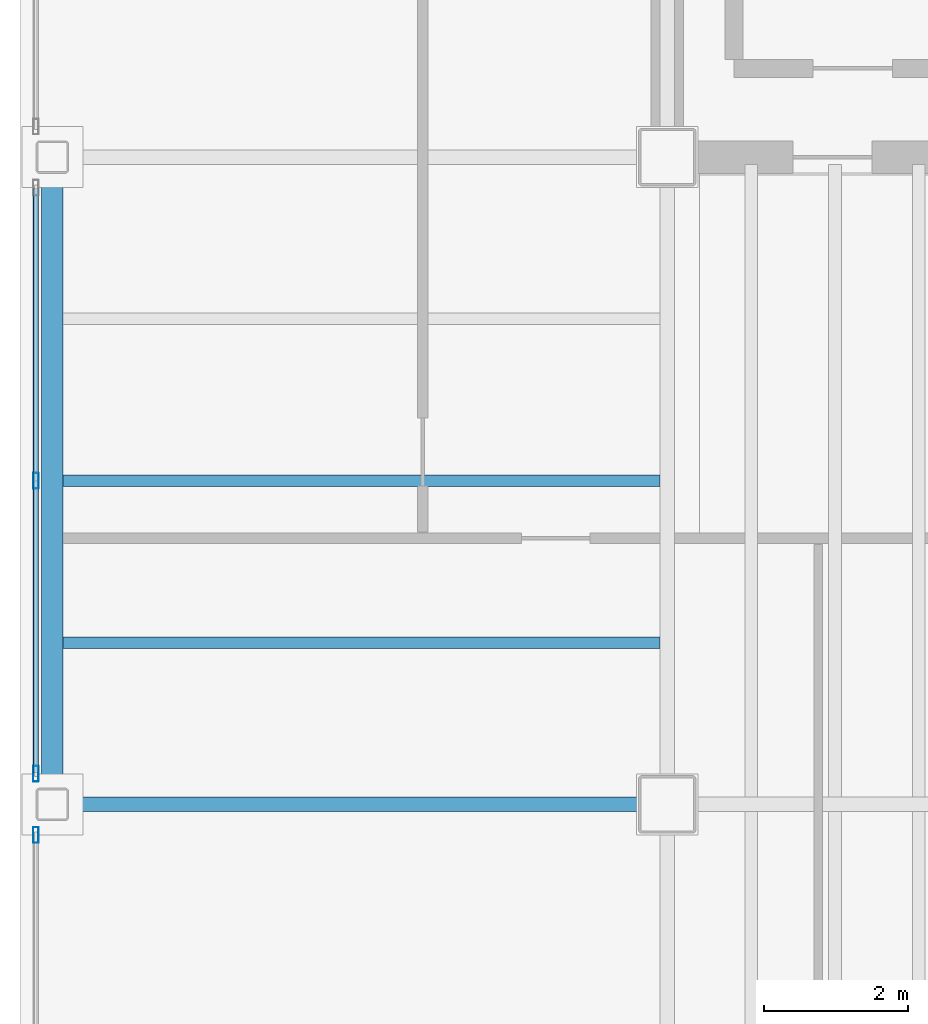
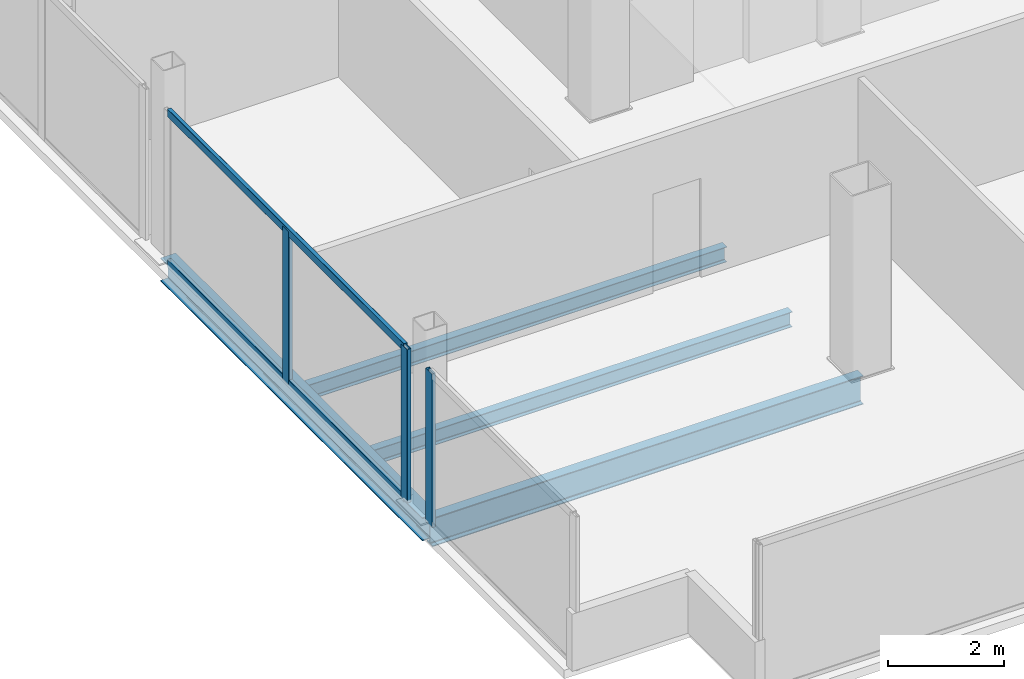
# One storey, part 4 of 16: 5 members, 4 beams, 2 elements without a shape of their own.
"""IFC4 building model written with IfcOpenShell, lengths in metres."""

from ifc_helpers import new_model, si_unit, direction, frame, origin, origin_2d, place, context, subcontext, project, spatial, hollow_rectangle, i_section, extrude, material, material_profile, profile_set, type_object, element, aggregate, save


model = new_model("IFC4")

# Units and contexts
model_context = context("Model", 3, precision=1e-05, world=origin(), true_north=direction((0.0, 1.0)))
body_context = subcontext(model_context, "Body", "Model", "MODEL_VIEW")
ifc_project = project(units=[si_unit("LENGTHUNIT", "METRE"), si_unit("AREAUNIT", "SQUARE_METRE"), si_unit("VOLUMEUNIT", "CUBIC_METRE"), si_unit("PLANEANGLEUNIT", "RADIAN"), si_unit("MASSUNIT", "GRAM", prefix="KILO")], contexts=[model_context])

# Site, building, storey
site_placement = place(None, origin())
site = spatial("IfcSite", under=ifc_project, at=site_placement, CompositionType="ELEMENT")
building_placement = place(site_placement, origin())
building = spatial("IfcBuilding", under=site, at=building_placement, Name="Noeulbin Bourse Tower", CompositionType="ELEMENT")
storey_placement = place(building_placement, frame((0.0, 0.0, 234.5)))
storey = spatial("IfcBuildingStorey", under=building, at=storey_placement, Name="L58", CompositionType="ELEMENT", Elevation=234.5)

# Beams
ifc_material_1 = material(Name="Steel S355", Category="steel")
ifc_material_profile_1 = material_profile(ifc_material_1, i_section(OverallWidth=0.199951171875, OverallDepth=0.60009765625, WebThickness=0.010986328125, FlangeThickness=0.01708984375, FilletRadius=0.02197265625, at=origin_2d()), Name="H-600x200x11x17", Category="LoadBearing")
ifc_profile_set_1 = profile_set([ifc_material_profile_1], Name="Steel S355")
beam_type_1 = type_object("IfcBeamType", Name="BM-GRD-600", PredefinedType="USERDEFINED", material=ifc_profile_set_1)
beam_1_placement = place(storey_placement, frame((4.949951171875, 20.0, -0.47998046875), z_axis=(1.0, 0.0, 0.0), x_axis=(0.0, 1.0, 0.0)))
element("IfcBeam", 1, at=beam_1_placement, inside=storey, type_object=beam_type_1, Name="Tower Primary Girder EW L58-1.1", ObjectType="GIRDER", PredefinedType="USERDEFINED", context=body_context, shape_type="SweptSolid", body=[
    extrude(i_section(OverallWidth=0.199951171875, OverallDepth=0.60009765625, WebThickness=0.010986328125, FlangeThickness=0.01708984375, FilletRadius=0.02197265625, at=origin_2d()), origin(), (0.0, 0.0, 1.0), 8.550048828125),
])
ifc_material_profile_2 = material_profile(ifc_material_1, i_section(OverallWidth=0.159912109375, OverallDepth=0.320068359375, WebThickness=0.006591796875, FlangeThickness=0.010009765625, FilletRadius=0.012939453125, at=origin_2d()), Name="H-320x160x6.5x10", Category="LoadBearing")
ifc_profile_set_2 = profile_set([ifc_material_profile_2], Name="Steel S355")
beam_type_2 = type_object("IfcBeamType", Name="BM-JST-320", PredefinedType="JOIST", material=ifc_profile_set_2)
for number, where, z_axis, x_axis, name in (
    (2, (5.10009765625, 22.25, -0.340087890625), (1.0, 0.0, 0.0), (0.0, 1.0, 0.0), "Wing Composite Joist L58-W37"),
    (3, (5.10009765625, 24.5, -0.340087890625), (1.0, 0.0, 0.0), (0.0, 1.0, 0.0), "Wing Composite Joist L58-W38"),
):
    element("IfcBeam", number, at=place(storey_placement, frame(where, z_axis=z_axis, x_axis=x_axis)), inside=storey, type_object=beam_type_2, Name=name, PredefinedType="JOIST", context=body_context, shape_type="SweptSolid", body=[
        extrude(i_section(OverallWidth=0.159912109375, OverallDepth=0.320068359375, WebThickness=0.006591796875, FlangeThickness=0.010009765625, FilletRadius=0.012939453125, at=origin_2d()), origin(), (0.0, 0.0, 1.0), 8.2998046875),
    ])
ifc_material_profile_3 = material_profile(ifc_material_1, i_section(OverallWidth=0.300048828125, OverallDepth=0.488037109375, WebThickness=0.010986328125, FlangeThickness=0.01806640625, FilletRadius=0.02197265625, at=origin_2d()), Name="H-488x300x11x18", Category="LoadBearing")
ifc_profile_set_3 = profile_set([ifc_material_profile_3], Name="Steel S355")
beam_type_3 = type_object("IfcBeamType", Name="BM-SPN-488", PredefinedType="SPANDREL", material=ifc_profile_set_3)
beam_2_placement = place(storey_placement, frame((4.949951171875, 20.0, -0.424072265625), z_axis=(0.0, 1.0, 0.0), x_axis=(-1.0, 0.0, 0.0)))
element("IfcBeam", 4, at=beam_2_placement, inside=storey, type_object=beam_type_3, Name="West Spandrel L58-1", PredefinedType="SPANDREL", context=body_context, shape_type="SweptSolid", body=[
    extrude(i_section(OverallWidth=0.300048828125, OverallDepth=0.488037109375, WebThickness=0.010986328125, FlangeThickness=0.01806640625, FilletRadius=0.02197265625, at=origin_2d()), origin(), (0.0, 0.0, 1.0), 9.0),
])

# Curtain wall, member
ifc_material_2 = material(Name="High-Selectivity Low-Iron Glazing", Category="glass")
curtain_wall_type = type_object("IfcCurtainWallType", Name="CW-SYS-4", PredefinedType="NOTDEFINED", material=ifc_material_2)
curtain_wall_1_placement = place(storey_placement, origin())
curtain_wall_1 = element("IfcCurtainWall", 5, at=curtain_wall_1_placement, inside=storey, type_object=curtain_wall_type, Name="Unitised Curtain Wall CW-L58-W-S1", PredefinedType="NOTDEFINED")
ifc_material_3 = material(Name="Anodised Aluminium 6063-T6", Category="aluminium")
ifc_material_profile_4 = material_profile(ifc_material_3, hollow_rectangle(XDim=0.074951171875, YDim=0.219970703125, WallThickness=0.0048828125, InnerFilletRadius=0.00244140625, OuterFilletRadius=0.0048828125, at=origin_2d()), Name="ALU-MULL-75x220x5", Category="LoadBearing")
ifc_profile_set_4 = profile_set([ifc_material_profile_4], Name="Anodised Aluminium 6063-T6")
member_type_1 = type_object("IfcMemberType", Name="CW-SYS-4-MUL", PredefinedType="MULLION", material=ifc_profile_set_4)
member_1_placement = place(storey_placement, frame((4.719970703125, 19.574951171875, -0.02001953125), z_axis=(0.0, 0.0, 1.0), x_axis=(1.0, 0.0, 0.0)))
member_1 = element("IfcMember", 6, at=member_1_placement, type_object=member_type_1, Name="Curtain Wall Mullion CW-L58-W-S1-M01", PredefinedType="MULLION", context=body_context, shape_type="SweptSolid", body=[
    extrude(hollow_rectangle(XDim=0.074951171875, YDim=0.219970703125, WallThickness=0.0048828125, InnerFilletRadius=0.00244140625, OuterFilletRadius=0.0048828125, at=origin_2d()), origin(), (0.0, 0.0, 1.0), 3.219970703125),
])
aggregate(curtain_wall_1, [member_1])

# Curtain wall, members
curtain_wall_2_placement = place(storey_placement, origin())
curtain_wall_2 = element("IfcCurtainWall", 7, at=curtain_wall_2_placement, inside=storey, type_object=curtain_wall_type, Name="Unitised Curtain Wall CW-L58-W-S2", PredefinedType="NOTDEFINED")
member_2_placement = place(storey_placement, frame((4.719970703125, 20.425048828125, -0.02001953125), z_axis=(0.0, 0.0, 1.0), x_axis=(1.0, 0.0, 0.0)))
member_2 = element("IfcMember", 8, at=member_2_placement, type_object=member_type_1, Name="Curtain Wall Mullion CW-L58-W-S2-M00", PredefinedType="MULLION", context=body_context, shape_type="SweptSolid", body=[
    extrude(hollow_rectangle(XDim=0.074951171875, YDim=0.219970703125, WallThickness=0.0048828125, InnerFilletRadius=0.00244140625, OuterFilletRadius=0.0048828125, at=origin_2d()), origin(), (0.0, 0.0, 1.0), 3.219970703125),
])
member_3_placement = place(storey_placement, frame((4.719970703125, 24.5, -0.02001953125), z_axis=(0.0, 0.0, 1.0), x_axis=(1.0, 0.0, 0.0)))
member_3 = element("IfcMember", 9, at=member_3_placement, type_object=member_type_1, Name="Curtain Wall Mullion CW-L58-W-S2-M01", PredefinedType="MULLION", context=body_context, shape_type="SweptSolid", body=[
    extrude(hollow_rectangle(XDim=0.074951171875, YDim=0.219970703125, WallThickness=0.0048828125, InnerFilletRadius=0.00244140625, OuterFilletRadius=0.0048828125, at=origin_2d()), origin(), (0.0, 0.0, 1.0), 3.219970703125),
])
ifc_material_profile_5 = material_profile(ifc_material_3, hollow_rectangle(XDim=0.074951171875, YDim=0.159912109375, WallThickness=0.0048828125, InnerFilletRadius=0.00244140625, OuterFilletRadius=0.0048828125, at=origin_2d()), Name="ALU-TRAN-75x160x5", Category="LoadBearing")
ifc_profile_set_5 = profile_set([ifc_material_profile_5], Name="Anodised Aluminium 6063-T6")
member_type_2 = type_object("IfcMemberType", Name="CW-SYS-4-TRN", PredefinedType="USERDEFINED", material=ifc_profile_set_5)
member_4_placement = place(storey_placement, frame((4.719970703125, 20.43505859375, 0.010009765625), z_axis=(0.0, 1.0, 0.0), x_axis=(-1.0, 0.0, 0.0)))
member_4 = element("IfcMember", 10, at=member_4_placement, type_object=member_type_2, Name="Curtain Wall Transom CW-L58-W-S2-T00", ObjectType="TRANSOM", PredefinedType="USERDEFINED", context=body_context, shape_type="SweptSolid", body=[
    extrude(hollow_rectangle(XDim=0.074951171875, YDim=0.159912109375, WallThickness=0.0048828125, InnerFilletRadius=0.00244140625, OuterFilletRadius=0.0048828125, at=origin_2d()), origin(), (0.0, 0.0, 1.0), 8.1298828125),
])
member_5_placement = place(storey_placement, frame((4.719970703125, 20.43505859375, 3.169921875), z_axis=(0.0, 1.0, 0.0), x_axis=(-1.0, 0.0, 0.0)))
member_5 = element("IfcMember", 11, at=member_5_placement, type_object=member_type_2, Name="Curtain Wall Transom CW-L58-W-S2-T01", ObjectType="TRANSOM", PredefinedType="USERDEFINED", context=body_context, shape_type="SweptSolid", body=[
    extrude(hollow_rectangle(XDim=0.074951171875, YDim=0.159912109375, WallThickness=0.0048828125, InnerFilletRadius=0.00244140625, OuterFilletRadius=0.0048828125, at=origin_2d()), origin(), (0.0, 0.0, 1.0), 8.1298828125),
])
aggregate(curtain_wall_2, [member_2, member_3, member_4, member_5])

save(model, "model.ifc")
